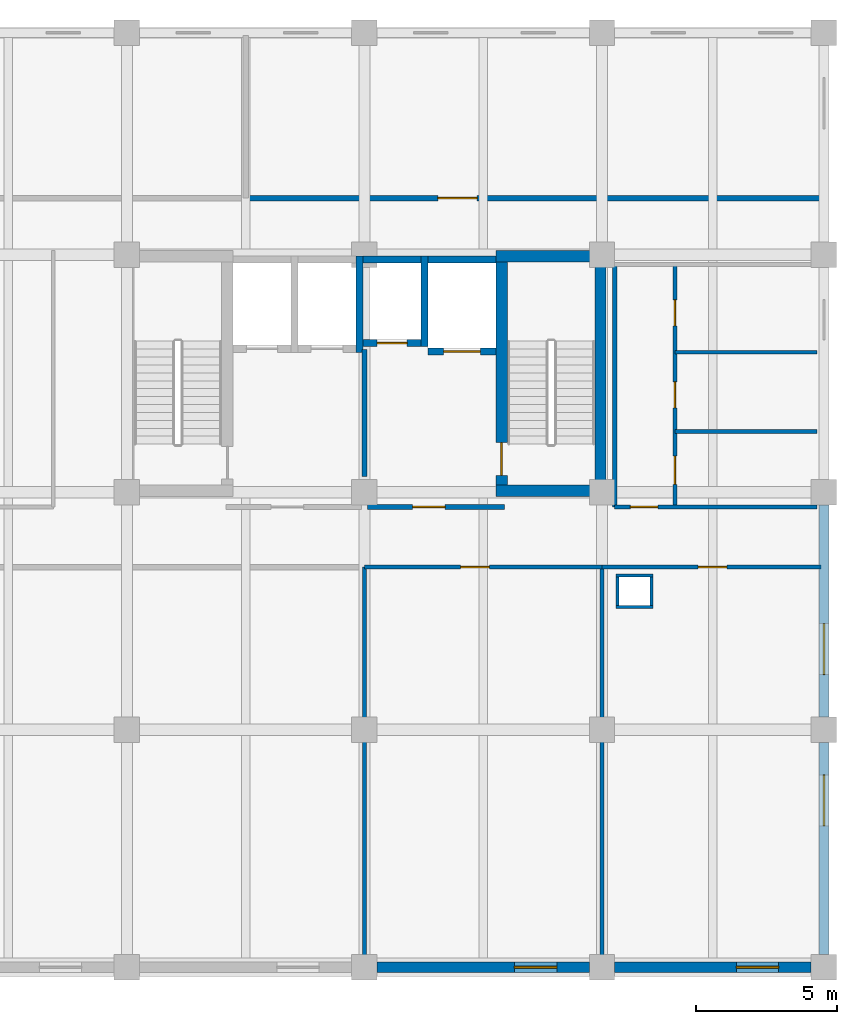
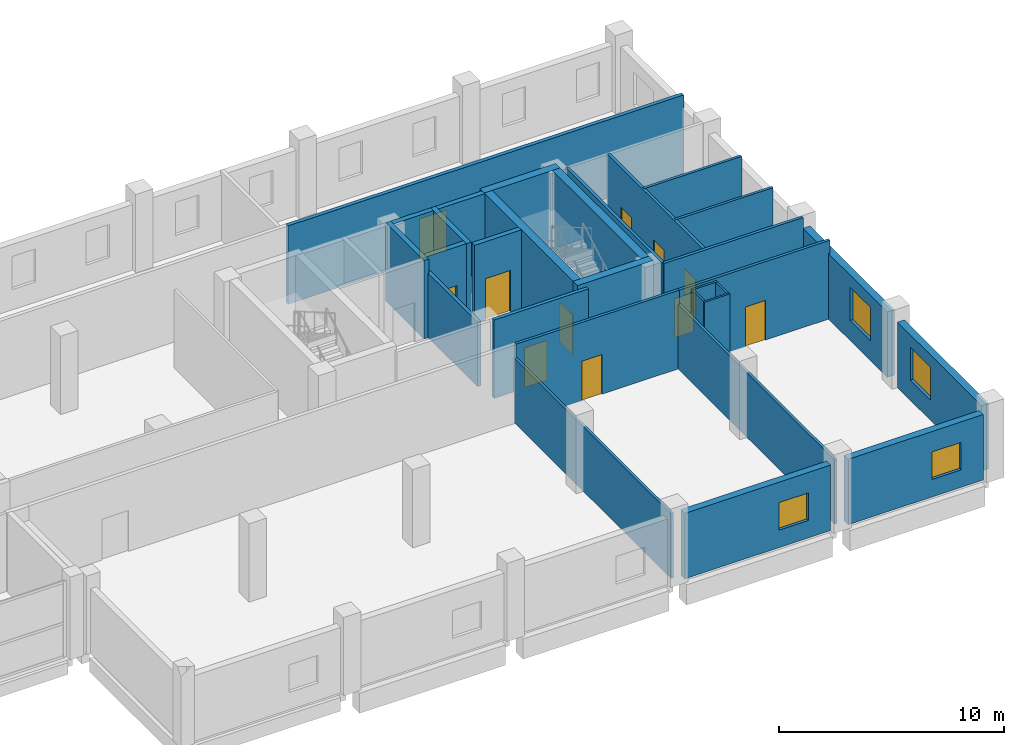
# One storey, part 15 of 18: 30 walls, 11 doors, 4 windows, 15 openings.
"""IFC4 building model written with IfcOpenShell, lengths in metres."""

from ifc_helpers import new_model, si_unit, direction, frame, frame_2d, origin, place, context, subcontext, project, spatial, rectangle, extrude, material, layer, layer_set, type_object, element, fill, save


model = new_model("IFC4")

# Units and contexts
model_context = context("Model", 3, precision=1e-05, world=origin(), true_north=direction((0.0, 1.0)))
body_context = subcontext(model_context, "Body", "Model", "MODEL_VIEW")
ifc_project = project(units=[si_unit("LENGTHUNIT", "METRE"), si_unit("AREAUNIT", "SQUARE_METRE"), si_unit("VOLUMEUNIT", "CUBIC_METRE"), si_unit("PLANEANGLEUNIT", "RADIAN"), si_unit("MASSUNIT", "GRAM", prefix="KILO")], contexts=[model_context])

# Site, building, storey
site_placement = place(None, origin())
site = spatial("IfcSite", under=ifc_project, at=site_placement, CompositionType="ELEMENT")
building_placement = place(site_placement, origin())
building = spatial("IfcBuilding", under=site, at=building_placement, Name="Brinegate Botanical Conservatory", CompositionType="ELEMENT")
storey_placement = place(building_placement, frame((0.0, 0.0, 14.699951171875)))
storey = spatial("IfcBuildingStorey", under=building, at=storey_placement, Name="L04", CompositionType="ELEMENT", Elevation=14.699951171875)

# Wall, opening, window
ifc_material_1 = material(Name="Insulated Minnan red clay brick masonry", Category="masonry")
ifc_layer_1 = layer(ifc_material_1, 0.360107421875, Name="Insulated Minnan red clay brick masonry", Category="masonry")
ifc_layer_set_1 = layer_set([ifc_layer_1], Name="Insulated Minnan red clay brick masonry")
wall_type_1 = type_object("IfcWallType", Name="Wall_EW-360B", PredefinedType="STANDARD", material=ifc_layer_set_1)
wall_1_placement = place(storey_placement, frame((155.14990234375, 78.39990234375, 0.0), z_axis=(0.0, 0.0, 1.0), x_axis=(-1.0, 0.0, 0.0)))
wall_1 = element("IfcWall", 1, at=wall_1_placement, inside=storey, type_object=wall_type_1, Name="Tower south facade wall L04.4", PredefinedType="STANDARD", context=body_context, shape_type="SweptSolid", body=[
    extrude(rectangle(XDim=7.5, YDim=0.360107421875, at=frame_2d((3.75, 0.0))), origin(), (0.0, 0.0, 1.0), 3.56005859375),
])
opening_1_placement = place(wall_1_placement, frame((1.14990234375, 0.0, 0.949951171875)))
opening_1 = element("IfcOpeningElement", 2, at=opening_1_placement, cuts=wall_1, Name="Opening WN-08", PredefinedType="OPENING", context=body_context, shape_type="SweptSolid", body=[
    extrude(rectangle(XDim=1.5, YDim=1.5, at=frame_2d((0.75, 0.75))), frame((0.0, 0.18994140625, 0.0), z_axis=(0.0, -1.0, 0.0), x_axis=(1.0, 0.0, 0.0)), (0.0, 0.0, 1.0), 0.380126953125),
])
ifc_material_2 = material(Name="Thermally broken aluminium-framed Low-E glass", Category="aluminium")
window_type_1 = type_object("IfcWindowType", Name="Win_WN-08", PartitioningType="DOUBLE_PANEL_VERTICAL", PredefinedType="WINDOW", material=ifc_material_2)
window_1_placement = place(opening_1_placement, origin())
window_1 = element("IfcWindow", 3, at=window_1_placement, inside=storey, type_object=window_type_1, Name="Tower south window L04.4", OverallHeight=1.5, OverallWidth=1.5, PartitioningType="DOUBLE_PANEL_VERTICAL", PredefinedType="WINDOW", context=body_context, shape_type="SweptSolid", body=[
    extrude(rectangle(XDim=1.5, YDim=1.5, at=frame_2d((0.75, 0.75))), frame((0.0, 0.030029296875, 0.0), z_axis=(0.0, -1.0, 0.0), x_axis=(1.0, 0.0, 0.0)), (0.0, 0.0, 1.0), 0.06005859375),
])
fill(opening_1, window_1)

wall_2_placement = place(storey_placement, frame((163.0, 78.39990234375, 0.0), z_axis=(0.0, 0.0, 1.0), x_axis=(-1.0, 0.0, 0.0)))
wall_2 = element("IfcWall", 4, at=wall_2_placement, inside=storey, type_object=wall_type_1, Name="Tower south facade wall L04.5", PredefinedType="STANDARD", context=body_context, shape_type="SweptSolid", body=[
    extrude(rectangle(XDim=6.949951171875, YDim=0.360107421875, at=frame_2d((3.47509765625, 0.0))), origin(), (0.0, 0.0, 1.0), 3.56005859375),
])
opening_2_placement = place(wall_2_placement, frame((1.14990234375, 0.0, 0.949951171875)))
opening_2 = element("IfcOpeningElement", 5, at=opening_2_placement, cuts=wall_2, Name="Opening WN-08", PredefinedType="OPENING", context=body_context, shape_type="SweptSolid", body=[
    extrude(rectangle(XDim=1.5, YDim=1.5, at=frame_2d((0.75, 0.75))), frame((0.0, 0.18994140625, 0.0), z_axis=(0.0, -1.0, 0.0), x_axis=(1.0, 0.0, 0.0)), (0.0, 0.0, 1.0), 0.380126953125),
])
window_2_placement = place(opening_2_placement, origin())
window_2 = element("IfcWindow", 6, at=window_2_placement, inside=storey, type_object=window_type_1, Name="Tower south window L04.5", OverallHeight=1.5, OverallWidth=1.5, PartitioningType="DOUBLE_PANEL_VERTICAL", PredefinedType="WINDOW", context=body_context, shape_type="SweptSolid", body=[
    extrude(rectangle(XDim=1.5, YDim=1.5, at=frame_2d((0.75, 0.75))), frame((0.0, 0.030029296875, 0.0), z_axis=(0.0, -1.0, 0.0), x_axis=(1.0, 0.0, 0.0)), (0.0, 0.0, 1.0), 0.06005859375),
])
fill(opening_2, window_2)

wall_3_placement = place(storey_placement, frame((163.449951171875, 86.35009765625, 0.0), z_axis=(0.0, 0.0, 1.0), x_axis=(0.0, -1.0, 0.0)))
wall_3 = element("IfcWall", 7, at=wall_3_placement, inside=storey, type_object=wall_type_1, Name="Tower east brick wall L04.1", PredefinedType="STANDARD", context=body_context, shape_type="SweptSolid", body=[
    extrude(rectangle(XDim=7.5, YDim=0.360107421875, at=frame_2d((3.75, 0.0))), origin(), (0.0, 0.0, 1.0), 3.56005859375),
])
opening_3_placement = place(wall_3_placement, frame((1.14990234375, 0.0, 1.10009765625)))
opening_3 = element("IfcOpeningElement", 8, at=opening_3_placement, cuts=wall_3, Name="Opening WN-05", PredefinedType="OPENING", context=body_context, shape_type="SweptSolid", body=[
    extrude(rectangle(XDim=1.800048828125, YDim=1.800048828125, at=frame_2d((0.89990234375, 0.89990234375))), frame((0.0, 0.18994140625, 0.0), z_axis=(0.0, -1.0, 0.0), x_axis=(1.0, 0.0, 0.0)), (0.0, 0.0, 1.0), 0.380126953125),
])
window_type_2 = type_object("IfcWindowType", Name="Win_WN-05", PartitioningType="DOUBLE_PANEL_VERTICAL", PredefinedType="WINDOW", material=ifc_material_2)
window_3_placement = place(opening_3_placement, origin())
window_3 = element("IfcWindow", 9, at=window_3_placement, inside=storey, type_object=window_type_2, Name="Tower east window L04.1", OverallHeight=1.800048828125, OverallWidth=1.800048828125, PartitioningType="DOUBLE_PANEL_VERTICAL", PredefinedType="WINDOW", context=body_context, shape_type="SweptSolid", body=[
    extrude(rectangle(XDim=1.800048828125, YDim=1.800048828125, at=frame_2d((0.89990234375, 0.89990234375))), frame((0.0, 0.030029296875, 0.0), z_axis=(0.0, -1.0, 0.0), x_axis=(1.0, 0.0, 0.0)), (0.0, 0.0, 1.0), 0.06005859375),
])
fill(opening_3, window_3)

wall_4_placement = place(storey_placement, frame((163.449951171875, 94.75, 0.0), z_axis=(0.0, 0.0, 1.0), x_axis=(0.0, -1.0, 0.0)))
wall_4 = element("IfcWall", 10, at=wall_4_placement, inside=storey, type_object=wall_type_1, Name="Tower east brick wall L04.2", PredefinedType="STANDARD", context=body_context, shape_type="SweptSolid", body=[
    extrude(rectangle(XDim=7.5, YDim=0.360107421875, at=frame_2d((3.75, 0.0))), origin(), (0.0, 0.0, 1.0), 3.56005859375),
])
opening_4_placement = place(wall_4_placement, frame((4.199951171875, 0.0, 1.10009765625)))
opening_4 = element("IfcOpeningElement", 11, at=opening_4_placement, cuts=wall_4, Name="Opening WN-05", PredefinedType="OPENING", context=body_context, shape_type="SweptSolid", body=[
    extrude(rectangle(XDim=1.800048828125, YDim=1.800048828125, at=frame_2d((0.89990234375, 0.89990234375))), frame((0.0, 0.18994140625, 0.0), z_axis=(0.0, -1.0, 0.0), x_axis=(1.0, 0.0, 0.0)), (0.0, 0.0, 1.0), 0.380126953125),
])
window_4_placement = place(opening_4_placement, origin())
window_4 = element("IfcWindow", 12, at=window_4_placement, inside=storey, type_object=window_type_2, Name="Tower east window L04.2", OverallHeight=1.800048828125, OverallWidth=1.800048828125, PartitioningType="DOUBLE_PANEL_VERTICAL", PredefinedType="WINDOW", context=body_context, shape_type="SweptSolid", body=[
    extrude(rectangle(XDim=1.800048828125, YDim=1.800048828125, at=frame_2d((0.89990234375, 0.89990234375))), frame((0.0, 0.030029296875, 0.0), z_axis=(0.0, -1.0, 0.0), x_axis=(1.0, 0.0, 0.0)), (0.0, 0.0, 1.0), 0.06005859375),
])
fill(opening_4, window_4)

# Walls
ifc_material_3 = material(Name="Gypsum-clad steel-stud fire-rated shaft partition", Category="steel")
ifc_layer_2 = layer(ifc_material_3, 0.10498046875, Name="Gypsum-clad steel-stud fire-rated shaft partition", Category="steel")
ifc_layer_set_2 = layer_set([ifc_layer_2], Name="Gypsum-clad steel-stud fire-rated shaft partition")
wall_type_2 = type_object("IfcWallType", Name="Wall_PW-105", PredefinedType="PARTITIONING", material=ifc_layer_set_2)
for number, where, z_axis, x_axis, name in (
    (13, (156.094970703125, 91.1474609375, 0.0), (0.0, 0.0, 1.0), (1.0, 0.0, 0.0), "Service riser shaft wall L04 S"),
    (14, (156.094970703125, 92.25244140625, 0.0), (0.0, 0.0, 1.0), (1.0, 0.0, 0.0), "Service riser shaft wall L04 N"),
):
    element("IfcWall", number, at=place(storey_placement, frame(where, z_axis=z_axis, x_axis=x_axis)), inside=storey, type_object=wall_type_2, Name=name, PredefinedType="PARTITIONING", context=body_context, shape_type="SweptSolid", body=[
        extrude(rectangle(XDim=1.31005859375, YDim=0.10498046875, at=frame_2d((0.655029296875, 0.0))), origin(), (0.0, 0.0, 1.0), 4.260009765625),
    ])
for number, where, z_axis, x_axis, name in (
    (15, (156.1474609375, 91.199951171875, 0.0), (0.0, 0.0, 1.0), (0.0, 1.0, 0.0), "Service riser shaft wall L04 W"),
    (16, (157.3525390625, 91.199951171875, 0.0), (0.0, 0.0, 1.0), (0.0, 1.0, 0.0), "Service riser shaft wall L04 E"),
):
    element("IfcWall", number, at=place(storey_placement, frame(where, z_axis=z_axis, x_axis=x_axis)), inside=storey, type_object=wall_type_2, Name=name, PredefinedType="PARTITIONING", context=body_context, shape_type="SweptSolid", body=[
        extrude(rectangle(XDim=1.0, YDim=0.10498046875, at=frame_2d((0.5, 0.0))), origin(), (0.0, 0.0, 1.0), 4.260009765625),
    ])
ifc_material_4 = material(Name="Gypsum-clad steel-stud partition", Category="steel")
ifc_layer_3 = layer(ifc_material_4, 0.135009765625, Name="Gypsum-clad steel-stud partition", Category="steel")
ifc_layer_set_3 = layer_set([ifc_layer_3], Name="Gypsum-clad steel-stud partition")
wall_type_3 = type_object("IfcWallType", Name="Wall_PW-135", PredefinedType="PARTITIONING", material=ifc_layer_set_3)
for number, where, z_axis, x_axis, name in (
    (17, (158.179931640625, 97.35009765625, 0.0), (0.0, 0.0, 1.0), (1.0, 0.0, 0.0), "Interior partition P-L04-WCD-9735"),
    (18, (158.179931640625, 100.14990234375, 0.0), (0.0, 0.0, 1.0), (1.0, 0.0, 0.0), "Interior partition P-L04-WCD-10015"),
):
    element("IfcWall", number, at=place(storey_placement, frame(where, z_axis=z_axis, x_axis=x_axis)), inside=storey, type_object=wall_type_3, Name=name, PredefinedType="PARTITIONING", context=body_context, shape_type="SweptSolid", body=[
        extrude(rectangle(XDim=5.02001953125, YDim=0.135009765625, at=frame_2d((2.510009765625, 0.0))), origin(), (0.0, 0.0, 1.0), 4.260009765625),
    ])
for number, where, z_axis, x_axis, name in (
    (19, (147.199951171875, 78.550048828125, 0.0), (0.0, 0.0, 1.0), (0.0, 1.0, 0.0), "Interior partition P-L04-SDIV-S2"),
    (20, (155.60009765625, 78.550048828125, 0.0), (0.0, 0.0, 1.0), (0.0, 1.0, 0.0), "Interior partition P-L04-SDIV-S3"),
):
    element("IfcWall", number, at=place(storey_placement, frame(where, z_axis=z_axis, x_axis=x_axis)), inside=storey, type_object=wall_type_3, Name=name, PredefinedType="PARTITIONING", context=body_context, shape_type="SweptSolid", body=[
        extrude(rectangle(XDim=14.0, YDim=0.135009765625, at=frame_2d((7.0, 0.0))), origin(), (0.0, 0.0, 1.0), 3.510009765625),
    ])

# Wall, opening, door
ifc_material_5 = material(Name="Gypsum-clad acoustic steel-stud partition", Category="steel")
ifc_layer_4 = layer(ifc_material_5, 0.14501953125, Name="Gypsum-clad acoustic steel-stud partition", Category="steel")
ifc_layer_set_4 = layer_set([ifc_layer_4], Name="Gypsum-clad acoustic steel-stud partition")
wall_type_4 = type_object("IfcWallType", Name="Wall_PW-150", PredefinedType="PARTITIONING", material=ifc_layer_set_4)
wall_5_placement = place(storey_placement, frame((147.199951171875, 92.550048828125, 0.0), z_axis=(0.0, 0.0, 1.0), x_axis=(1.0, 0.0, 0.0)))
wall_5 = element("IfcWall", 21, at=wall_5_placement, inside=storey, type_object=wall_type_4, Name="Interior partition P-L04-SB-S2", PredefinedType="PARTITIONING", context=body_context, shape_type="SweptSolid", body=[
    extrude(rectangle(XDim=8.400146484375, YDim=0.14501953125, at=frame_2d((4.2001953125, 0.0))), origin(), (0.0, 0.0, 1.0), 4.260009765625),
])
opening_5_placement = place(wall_5_placement, frame((3.39990234375, 0.0, 0.0)))
opening_5 = element("IfcOpeningElement", 22, at=opening_5_placement, cuts=wall_5, Name="Opening DR-02", PredefinedType="OPENING", context=body_context, shape_type="SweptSolid", body=[
    extrude(rectangle(XDim=1.02001953125, YDim=2.14990234375, at=frame_2d((0.510009765625, 1.074951171875))), frame((0.0, 0.08251953125, 0.0), z_axis=(0.0, -1.0, 0.0), x_axis=(1.0, 0.0, 0.0)), (0.0, 0.0, 1.0), 0.1650390625),
])
ifc_material_6 = material(Name="Phenolic-faced laboratory timber leaf", Category="wood")
door_type_1 = type_object("IfcDoorType", Name="Door_DR-02", OperationType="NOTDEFINED", PredefinedType="DOOR", material=ifc_material_6)
door_1_placement = place(opening_5_placement, origin())
door_1 = element("IfcDoor", 23, at=door_1_placement, inside=storey, type_object=door_type_1, Name="DR-P-L04-SB-S2-1", OperationType="SINGLE_SWING_LEFT", OverallHeight=2.14990234375, OverallWidth=1.02001953125, PredefinedType="DOOR", context=body_context, shape_type="SweptSolid", body=[
    extrude(rectangle(XDim=1.02001953125, YDim=2.14990234375, at=frame_2d((0.510009765625, 1.074951171875))), frame((0.0, 0.02490234375, 0.0), z_axis=(0.0, -1.0, 0.0), x_axis=(1.0, 0.0, 0.0)), (0.0, 0.0, 1.0), 0.050048828125),
])
fill(opening_5, door_1)

wall_6_placement = place(storey_placement, frame((155.60009765625, 92.550048828125, 0.0), z_axis=(0.0, 0.0, 1.0), x_axis=(1.0, 0.0, 0.0)))
wall_6 = element("IfcWall", 24, at=wall_6_placement, inside=storey, type_object=wall_type_4, Name="Interior partition P-L04-SB-S3", PredefinedType="PARTITIONING", context=body_context, shape_type="SweptSolid", body=[
    extrude(rectangle(XDim=7.75, YDim=0.14501953125, at=frame_2d((3.875, 0.0))), origin(), (0.0, 0.0, 1.0), 4.260009765625),
])
opening_6_placement = place(wall_6_placement, frame((3.39990234375, 0.0, 0.0)))
opening_6 = element("IfcOpeningElement", 25, at=opening_6_placement, cuts=wall_6, Name="Opening DR-02", PredefinedType="OPENING", context=body_context, shape_type="SweptSolid", body=[
    extrude(rectangle(XDim=1.02001953125, YDim=2.14990234375, at=frame_2d((0.510009765625, 1.074951171875))), frame((0.0, 0.08251953125, 0.0), z_axis=(0.0, -1.0, 0.0), x_axis=(1.0, 0.0, 0.0)), (0.0, 0.0, 1.0), 0.1650390625),
])
door_2_placement = place(opening_6_placement, origin())
door_2 = element("IfcDoor", 26, at=door_2_placement, inside=storey, type_object=door_type_1, Name="DR-P-L04-SB-S3-1", OperationType="SINGLE_SWING_RIGHT", OverallHeight=2.14990234375, OverallWidth=1.02001953125, PredefinedType="DOOR", context=body_context, shape_type="SweptSolid", body=[
    extrude(rectangle(XDim=1.02001953125, YDim=2.14990234375, at=frame_2d((0.510009765625, 1.074951171875))), frame((0.0, 0.02490234375, 0.0), z_axis=(0.0, -1.0, 0.0), x_axis=(1.0, 0.0, 0.0)), (0.0, 0.0, 1.0), 0.050048828125),
])
fill(opening_6, door_2)

ifc_material_7 = material(Name="Moisture-resistant cement-board partition", Category="gypsum")
ifc_layer_5 = layer(ifc_material_7, 0.14990234375, Name="Moisture-resistant cement-board partition", Category="gypsum")
ifc_layer_set_5 = layer_set([ifc_layer_5], Name="Moisture-resistant cement-board partition")
wall_type_5 = type_object("IfcWallType", Name="Wall_PW-150W", PredefinedType="PARTITIONING", material=ifc_layer_set_5)
wall_7_placement = place(storey_placement, frame((156.050048828125, 94.679931640625, 0.0), z_axis=(0.0, 0.0, 1.0), x_axis=(1.0, 0.0, 0.0)))
wall_7 = element("IfcWall", 27, at=wall_7_placement, inside=storey, type_object=wall_type_5, Name="Interior partition P-L04-WCS", PredefinedType="PARTITIONING", context=body_context, shape_type="SweptSolid", body=[
    extrude(rectangle(XDim=7.14990234375, YDim=0.14990234375, at=frame_2d((3.574951171875, 0.0))), origin(), (0.0, 0.0, 1.0), 4.260009765625),
])
opening_7_placement = place(wall_7_placement, frame((0.550048828125, 0.0, 0.0)))
opening_7 = element("IfcOpeningElement", 28, at=opening_7_placement, cuts=wall_7, Name="Opening DR-03", PredefinedType="OPENING", context=body_context, shape_type="SweptSolid", body=[
    extrude(rectangle(XDim=0.97998046875, YDim=2.1201171875, at=frame_2d((0.489990234375, 1.06005859375))), frame((0.0, 0.0849609375, 0.0), z_axis=(0.0, -1.0, 0.0), x_axis=(1.0, 0.0, 0.0)), (0.0, 0.0, 1.0), 0.169921875),
])
ifc_material_8 = material(Name="Steel-core hardwood smoke-sealed fire door", Category="steel")
door_type_2 = type_object("IfcDoorType", Name="Door_DR-03", OperationType="NOTDEFINED", PredefinedType="DOOR", material=ifc_material_8)
door_3_placement = place(opening_7_placement, origin())
door_3 = element("IfcDoor", 29, at=door_3_placement, inside=storey, type_object=door_type_2, Name="DR-P-L04-WCS-1", OperationType="SINGLE_SWING_LEFT", OverallHeight=2.1201171875, OverallWidth=0.97998046875, PredefinedType="DOOR", context=body_context, shape_type="SweptSolid", body=[
    extrude(rectangle(XDim=0.97998046875, YDim=2.1201171875, at=frame_2d((0.489990234375, 1.06005859375))), frame((0.0, 0.02490234375, 0.0), z_axis=(0.0, -1.0, 0.0), x_axis=(1.0, 0.0, 0.0)), (0.0, 0.0, 1.0), 0.050048828125),
])
fill(opening_7, door_3)

# Wall, openings, doors
wall_8_placement = place(storey_placement, frame((158.179931640625, 94.679931640625, 0.0), z_axis=(0.0, 0.0, 1.0), x_axis=(0.0, 1.0, 0.0)))
wall_8 = element("IfcWall", 30, at=wall_8_placement, inside=storey, type_object=wall_type_5, Name="Interior partition P-L04-WCW", PredefinedType="PARTITIONING", context=body_context, shape_type="SweptSolid", body=[
    extrude(rectangle(XDim=8.570068359375, YDim=0.14990234375, at=frame_2d((4.28515625, 0.0))), origin(), (0.0, 0.0, 1.0), 4.260009765625),
])
opening_8_placement = place(wall_8_placement, frame((0.800048828125, 0.0, 0.0)))
opening_8 = element("IfcOpeningElement", 31, at=opening_8_placement, cuts=wall_8, Name="Opening DR-ACC", PredefinedType="OPENING", context=body_context, shape_type="SweptSolid", body=[
    extrude(rectangle(XDim=1.0, YDim=2.1201171875, at=frame_2d((0.5, 1.06005859375))), frame((0.0, 0.0849609375, 0.0), z_axis=(0.0, -1.0, 0.0), x_axis=(1.0, 0.0, 0.0)), (0.0, 0.0, 1.0), 0.169921875),
])
opening_9_placement = place(wall_8_placement, frame((3.5, 0.0, 0.0)))
opening_9 = element("IfcOpeningElement", 32, at=opening_9_placement, cuts=wall_8, Name="Opening DR-04", PredefinedType="OPENING", context=body_context, shape_type="SweptSolid", body=[
    extrude(rectangle(XDim=0.919921875, YDim=2.10009765625, at=frame_2d((0.4599609375, 1.050048828125))), frame((0.0, 0.0849609375, 0.0), z_axis=(0.0, -1.0, 0.0), x_axis=(1.0, 0.0, 0.0)), (0.0, 0.0, 1.0), 0.169921875),
])
opening_10_placement = place(wall_8_placement, frame((6.39990234375, 0.0, 0.0)))
opening_10 = element("IfcOpeningElement", 33, at=opening_10_placement, cuts=wall_8, Name="Opening DR-04", PredefinedType="OPENING", context=body_context, shape_type="SweptSolid", body=[
    extrude(rectangle(XDim=0.919921875, YDim=2.10009765625, at=frame_2d((0.4599609375, 1.050048828125))), frame((0.0, 0.0849609375, 0.0), z_axis=(0.0, -1.0, 0.0), x_axis=(1.0, 0.0, 0.0)), (0.0, 0.0, 1.0), 0.169921875),
])
ifc_material_9 = material(Name="Moisture-resistant laminate timber leaf", Category="wood")
door_type_3 = type_object("IfcDoorType", Name="Door_DR-04", OperationType="NOTDEFINED", PredefinedType="DOOR", material=ifc_material_9)
door_4_placement = place(opening_9_placement, origin())
door_4 = element("IfcDoor", 34, at=door_4_placement, inside=storey, type_object=door_type_3, Name="DR-P-L04-WCW-2", OperationType="SINGLE_SWING_RIGHT", OverallHeight=2.10009765625, OverallWidth=0.919921875, PredefinedType="DOOR", context=body_context, shape_type="SweptSolid", body=[
    extrude(rectangle(XDim=0.919921875, YDim=2.10009765625, at=frame_2d((0.4599609375, 1.050048828125))), frame((0.0, 0.02490234375, 0.0), z_axis=(0.0, -1.0, 0.0), x_axis=(1.0, 0.0, 0.0)), (0.0, 0.0, 1.0), 0.050048828125),
])
fill(opening_9, door_4)
door_5_placement = place(opening_10_placement, origin())
door_5 = element("IfcDoor", 35, at=door_5_placement, inside=storey, type_object=door_type_3, Name="DR-P-L04-WCW-3", OperationType="SINGLE_SWING_LEFT", OverallHeight=2.10009765625, OverallWidth=0.919921875, PredefinedType="DOOR", context=body_context, shape_type="SweptSolid", body=[
    extrude(rectangle(XDim=0.919921875, YDim=2.10009765625, at=frame_2d((0.4599609375, 1.050048828125))), frame((0.0, 0.02490234375, 0.0), z_axis=(0.0, -1.0, 0.0), x_axis=(1.0, 0.0, 0.0)), (0.0, 0.0, 1.0), 0.050048828125),
])
fill(opening_10, door_5)
ifc_material_10 = material(Name="Moisture-resistant barrier-free timber leaf", Category="wood")
door_type_4 = type_object("IfcDoorType", Name="Door_DR-ACC", OperationType="NOTDEFINED", PredefinedType="DOOR", material=ifc_material_10)
door_6_placement = place(opening_8_placement, origin())
door_6 = element("IfcDoor", 36, at=door_6_placement, inside=storey, type_object=door_type_4, Name="DR-P-L04-WCW-1", OperationType="SINGLE_SWING_LEFT", OverallHeight=2.1201171875, OverallWidth=1.0, PredefinedType="DOOR", context=body_context, shape_type="SweptSolid", body=[
    extrude(rectangle(XDim=1.0, YDim=2.1201171875, at=frame_2d((0.5, 1.06005859375))), frame((0.0, 0.02490234375, 0.0), z_axis=(0.0, -1.0, 0.0), x_axis=(1.0, 0.0, 0.0)), (0.0, 0.0, 1.0), 0.050048828125),
])
fill(opening_8, door_6)

# Wall
wall_9_placement = place(storey_placement, frame((156.050048828125, 94.679931640625, 0.0), z_axis=(0.0, 0.0, 1.0), x_axis=(0.0, 1.0, 0.0)))
element("IfcWall", 37, at=wall_9_placement, inside=storey, type_object=wall_type_5, Name="Interior partition P-L04-WCWW", PredefinedType="PARTITIONING", context=body_context, shape_type="SweptSolid", body=[
    extrude(rectangle(XDim=8.570068359375, YDim=0.14990234375, at=frame_2d((4.28515625, 0.0))), origin(), (0.0, 0.0, 1.0), 4.260009765625),
])

# Wall, opening, door
ifc_material_11 = material(Name="Autoclaved aerated concrete C40/50 blockwork", Category="masonry")
ifc_layer_6 = layer(ifc_material_11, 0.179931640625, Name="Autoclaved aerated concrete C40/50 blockwork", Category="masonry")
ifc_layer_set_6 = layer_set([ifc_layer_6], Name="Autoclaved aerated concrete C40/50 blockwork")
wall_type_6 = type_object("IfcWallType", Name="Wall_PW-180F", PredefinedType="STANDARD", material=ifc_layer_set_6)
wall_10_placement = place(storey_placement, frame((147.300048828125, 94.679931640625, 0.0), z_axis=(0.0, 0.0, 1.0), x_axis=(1.0, 0.0, 0.0)))
wall_10 = element("IfcWall", 38, at=wall_10_placement, inside=storey, type_object=wall_type_6, Name="Interior partition P-L04-CORE-PAX", PredefinedType="STANDARD", context=body_context, shape_type="SweptSolid", body=[
    extrude(rectangle(XDim=4.849853515625, YDim=0.179931640625, at=frame_2d((2.4248046875, 0.0))), origin(), (0.0, 0.0, 1.0), 4.260009765625),
])
opening_11_placement = place(wall_10_placement, frame((1.60009765625, 0.0, 0.0)))
opening_11 = element("IfcOpeningElement", 39, at=opening_11_placement, cuts=wall_10, Name="Opening FD-B1", PredefinedType="OPENING", context=body_context, shape_type="SweptSolid", body=[
    extrude(rectangle(XDim=1.14990234375, YDim=2.14990234375, at=frame_2d((0.574951171875, 1.074951171875))), frame((0.0, 0.099853515625, 0.0), z_axis=(0.0, -1.0, 0.0), x_axis=(1.0, 0.0, 0.0)), (0.0, 0.0, 1.0), 0.199951171875),
])
ifc_material_12 = material(Name="Steel smoke-proof fire door assembly", Category="steel")
door_type_5 = type_object("IfcDoorType", Name="Door_FD-B1", OperationType="NOTDEFINED", PredefinedType="DOOR", material=ifc_material_12)
door_7_placement = place(opening_11_placement, origin())
door_7 = element("IfcDoor", 40, at=door_7_placement, inside=storey, type_object=door_type_5, Name="DR-P-L04-CORE-PAX-1", OperationType="SINGLE_SWING_RIGHT", OverallHeight=2.14990234375, OverallWidth=1.14990234375, PredefinedType="DOOR", context=body_context, shape_type="SweptSolid", body=[
    extrude(rectangle(XDim=1.14990234375, YDim=2.14990234375, at=frame_2d((0.574951171875, 1.074951171875))), frame((0.0, 0.02490234375, 0.0), z_axis=(0.0, -1.0, 0.0), x_axis=(1.0, 0.0, 0.0)), (0.0, 0.0, 1.0), 0.050048828125),
])
fill(opening_11, door_7)

# Wall
wall_11_placement = place(storey_placement, frame((147.199951171875, 95.75, 0.0), z_axis=(0.0, 0.0, 1.0), x_axis=(0.0, 1.0, 0.0)))
element("IfcWall", 41, at=wall_11_placement, inside=storey, type_object=wall_type_6, Name="Interior partition P-L04-CORE-DIV", PredefinedType="STANDARD", context=body_context, shape_type="SweptSolid", body=[
    extrude(rectangle(XDim=4.5, YDim=0.179931640625, at=frame_2d((2.25, 0.0))), origin(), (0.0, 0.0, 1.0), 3.510009765625),
])

# Wall, opening, door
ifc_layer_7 = layer(ifc_material_11, 0.18994140625, Name="Autoclaved aerated concrete C40/50 blockwork", Category="masonry")
ifc_layer_set_7 = layer_set([ifc_layer_7], Name="Autoclaved aerated concrete C40/50 blockwork")
wall_type_7 = type_object("IfcWallType", Name="Wall_PW-190F", PredefinedType="SOLIDWALL", material=ifc_layer_set_7)
wall_12_placement = place(storey_placement, frame((143.0, 105.60009765625, 0.0), z_axis=(0.0, 0.0, 1.0), x_axis=(1.0, 0.0, 0.0)))
wall_12 = element("IfcWall", 42, at=wall_12_placement, inside=storey, type_object=wall_type_7, Name="Interior partition P-L04-NB-N2", PredefinedType="SOLIDWALL", context=body_context, shape_type="SweptSolid", body=[
    extrude(rectangle(XDim=20.35009765625, YDim=0.18994140625, at=frame_2d((10.175048828125, 0.0))), origin(), (0.0, 0.0, 1.0), 4.260009765625),
])
opening_12_placement = place(wall_12_placement, frame((6.800048828125, 0.0, 0.0)))
opening_12 = element("IfcOpeningElement", 43, at=opening_12_placement, cuts=wall_12, Name="Opening FD-A3", PredefinedType="OPENING", context=body_context, shape_type="SweptSolid", body=[
    extrude(rectangle(XDim=1.3798828125, YDim=2.219970703125, at=frame_2d((0.68994140625, 1.10986328125))), frame((0.0, 0.10498046875, 0.0), z_axis=(0.0, -1.0, 0.0), x_axis=(1.0, 0.0, 0.0)), (0.0, 0.0, 1.0), 0.2099609375),
])
ifc_material_13 = material(Name="Steel fire-rated vault door", Category="steel")
door_type_6 = type_object("IfcDoorType", Name="Door_FD-A3", OperationType="NOTDEFINED", PredefinedType="DOOR", material=ifc_material_13)
door_8_placement = place(opening_12_placement, origin())
door_8 = element("IfcDoor", 44, at=door_8_placement, inside=storey, type_object=door_type_6, Name="DR-P-L04-NB-N2-1", OperationType="SINGLE_SWING_RIGHT", OverallHeight=2.219970703125, OverallWidth=1.3798828125, PredefinedType="DOOR", context=body_context, shape_type="SweptSolid", body=[
    extrude(rectangle(XDim=1.3798828125, YDim=2.219970703125, at=frame_2d((0.68994140625, 1.10986328125))), frame((0.0, 0.02490234375, 0.0), z_axis=(0.0, -1.0, 0.0), x_axis=(1.0, 0.0, 0.0)), (0.0, 0.0, 1.0), 0.050048828125),
])
fill(opening_12, door_8)

# Wall
ifc_material_14 = material(Name="Concrete C40/50", Category="concrete")
ifc_layer_8 = layer(ifc_material_14, 0.25, Name="Concrete C40/50", Category="concrete")
ifc_layer_set_8 = layer_set([ifc_layer_8], Name="Concrete C40/50")
wall_type_8 = type_object("IfcWallType", Name="Wall_SW-250", PredefinedType="SHEAR", material=ifc_layer_set_8)
wall_13_placement = place(storey_placement, frame((147.02490234375, 100.14990234375, 0.0), z_axis=(0.0, 0.0, 1.0), x_axis=(0.0, 1.0, 0.0)))
element("IfcWall", 45, at=wall_13_placement, inside=storey, type_object=wall_type_8, Name="Lift shaft LF2 shear wall L04 E", PredefinedType="SHEAR", context=body_context, shape_type="SweptSolid", body=[
    extrude(rectangle(XDim=3.400146484375, YDim=0.25, at=frame_2d((1.7001953125, 0.0))), origin(), (0.0, 0.0, 1.0), 4.260009765625),
])

# Wall, opening, door
wall_14_placement = place(storey_placement, frame((147.14990234375, 100.47509765625, 0.0), z_axis=(0.0, 0.0, 1.0), x_axis=(1.0, 0.0, 0.0)))
wall_14 = element("IfcWall", 46, at=wall_14_placement, inside=storey, type_object=wall_type_8, Name="Lift shaft LF3 shear wall L04 S", PredefinedType="SHEAR", context=body_context, shape_type="SweptSolid", body=[
    extrude(rectangle(XDim=2.050048828125, YDim=0.25, at=frame_2d((1.02490234375, 0.0))), origin(), (0.0, 0.0, 1.0), 4.260009765625),
])
opening_13_placement = place(wall_14_placement, frame((0.4951171875, 0.0, 0.0)))
opening_13 = element("IfcOpeningElement", 47, at=opening_13_placement, cuts=wall_14, Name="Opening LD-03", PredefinedType="OPENING", context=body_context, shape_type="SweptSolid", body=[
    extrude(rectangle(XDim=1.06005859375, YDim=2.14990234375, at=frame_2d((0.530029296875, 1.074951171875))), frame((0.0, 0.135009765625, 0.0), z_axis=(0.0, -1.0, 0.0), x_axis=(1.0, 0.0, 0.0)), (0.0, 0.0, 1.0), 0.27001953125),
])
ifc_material_15 = material(Name="Brushed stainless steel S355 landing door", Category="steel")
door_type_7 = type_object("IfcDoorType", Name="Door_LD-03", OperationType="SLIDING_TO_LEFT", PredefinedType="DOOR", material=ifc_material_15)
door_9_placement = place(opening_13_placement, origin())
door_9 = element("IfcDoor", 48, at=door_9_placement, inside=storey, type_object=door_type_7, Name="LD-LF3-L04", OperationType="SLIDING_TO_LEFT", OverallHeight=2.14990234375, OverallWidth=1.06005859375, PredefinedType="DOOR", context=body_context, shape_type="SweptSolid", body=[
    extrude(rectangle(XDim=1.06005859375, YDim=2.14990234375, at=frame_2d((0.530029296875, 1.074951171875))), frame((0.0, 0.02490234375, 0.0), z_axis=(0.0, -1.0, 0.0), x_axis=(1.0, 0.0, 0.0)), (0.0, 0.0, 1.0), 0.050048828125),
])
fill(opening_13, door_9)

# Walls
wall_15_placement = place(storey_placement, frame((147.14990234375, 103.425048828125, 0.0), z_axis=(0.0, 0.0, 1.0), x_axis=(1.0, 0.0, 0.0)))
element("IfcWall", 49, at=wall_15_placement, inside=storey, type_object=wall_type_8, Name="Lift shaft LF3 shear wall L04 N", PredefinedType="SHEAR", context=body_context, shape_type="SweptSolid", body=[
    extrude(rectangle(XDim=2.050048828125, YDim=0.25, at=frame_2d((1.02490234375, 0.0))), origin(), (0.0, 0.0, 1.0), 4.260009765625),
])
wall_16_placement = place(storey_placement, frame((149.324951171875, 100.35009765625, 0.0), z_axis=(0.0, 0.0, 1.0), x_axis=(0.0, 1.0, 0.0)))
element("IfcWall", 50, at=wall_16_placement, inside=storey, type_object=wall_type_8, Name="Lift shaft LF3 shear wall L04 E", PredefinedType="SHEAR", context=body_context, shape_type="SweptSolid", body=[
    extrude(rectangle(XDim=3.199951171875, YDim=0.25, at=frame_2d((1.60009765625, 0.0))), origin(), (0.0, 0.0, 1.0), 4.260009765625),
])

# Wall, opening, door
wall_17_placement = place(storey_placement, frame((149.449951171875, 100.175048828125, 0.0), z_axis=(0.0, 0.0, 1.0), x_axis=(1.0, 0.0, 0.0)))
wall_17 = element("IfcWall", 51, at=wall_17_placement, inside=storey, type_object=wall_type_8, Name="Lift shaft LF4 shear wall L04 S", PredefinedType="SHEAR", context=body_context, shape_type="SweptSolid", body=[
    extrude(rectangle(XDim=2.400146484375, YDim=0.25, at=frame_2d((1.2001953125, 0.0))), origin(), (0.0, 0.0, 1.0), 4.260009765625),
])
opening_14_placement = place(wall_17_placement, frame((0.550048828125, 0.0, 0.0)))
opening_14 = element("IfcOpeningElement", 52, at=opening_14_placement, cuts=wall_17, Name="Opening LD-04", PredefinedType="OPENING", context=body_context, shape_type="SweptSolid", body=[
    extrude(rectangle(XDim=1.300048828125, YDim=2.25, at=frame_2d((0.64990234375, 1.125))), frame((0.0, 0.135009765625, 0.0), z_axis=(0.0, -1.0, 0.0), x_axis=(1.0, 0.0, 0.0)), (0.0, 0.0, 1.0), 0.27001953125),
])
door_type_8 = type_object("IfcDoorType", Name="Door_LD-04", OperationType="SLIDING_TO_LEFT", PredefinedType="DOOR", material=ifc_material_15)
door_10_placement = place(opening_14_placement, origin())
door_10 = element("IfcDoor", 53, at=door_10_placement, inside=storey, type_object=door_type_8, Name="LD-LF4-L04", OperationType="SLIDING_TO_LEFT", OverallHeight=2.25, OverallWidth=1.300048828125, PredefinedType="DOOR", context=body_context, shape_type="SweptSolid", body=[
    extrude(rectangle(XDim=1.300048828125, YDim=2.25, at=frame_2d((0.64990234375, 1.125))), frame((0.0, 0.02490234375, 0.0), z_axis=(0.0, -1.0, 0.0), x_axis=(1.0, 0.0, 0.0)), (0.0, 0.0, 1.0), 0.050048828125),
])
fill(opening_14, door_10)

# Walls
wall_18_placement = place(storey_placement, frame((149.449951171875, 103.425048828125, 0.0), z_axis=(0.0, 0.0, 1.0), x_axis=(1.0, 0.0, 0.0)))
element("IfcWall", 54, at=wall_18_placement, inside=storey, type_object=wall_type_8, Name="Lift shaft LF4 shear wall L04 N", PredefinedType="SHEAR", context=body_context, shape_type="SweptSolid", body=[
    extrude(rectangle(XDim=2.400146484375, YDim=0.25, at=frame_2d((1.2001953125, 0.0))), origin(), (0.0, 0.0, 1.0), 4.260009765625),
])
ifc_material_16 = material(Name="Concrete C50/60", Category="concrete")
ifc_layer_9 = layer(ifc_material_16, 0.39990234375, Name="Concrete C50/60", Category="concrete")
ifc_layer_set_9 = layer_set([ifc_layer_9], Name="Concrete C50/60")
wall_type_9 = type_object("IfcWallType", Name="Wall_SW-400", PredefinedType="SHEAR", material=ifc_layer_set_9)
for number, where, z_axis, x_axis, name in (
    (55, (151.85009765625, 95.25, 0.0), (0.0, 0.0, 1.0), (1.0, 0.0, 0.0), "Stairwell ST2 shear wall L04 S"),
    (56, (151.85009765625, 103.550048828125, 0.0), (0.0, 0.0, 1.0), (1.0, 0.0, 0.0), "Stairwell ST2 shear wall L04 N"),
):
    element("IfcWall", number, at=place(storey_placement, frame(where, z_axis=z_axis, x_axis=x_axis)), inside=storey, type_object=wall_type_9, Name=name, PredefinedType="SHEAR", context=body_context, shape_type="SweptSolid", body=[
        extrude(rectangle(XDim=3.89990234375, YDim=0.39990234375, at=frame_2d((1.949951171875, 0.0))), origin(), (0.0, 0.0, 1.0), 4.260009765625),
    ])

# Wall, opening, door
wall_19_placement = place(storey_placement, frame((152.050048828125, 95.449951171875, 0.0), z_axis=(0.0, 0.0, 1.0), x_axis=(0.0, 1.0, 0.0)))
wall_19 = element("IfcWall", 57, at=wall_19_placement, inside=storey, type_object=wall_type_9, Name="Stairwell ST2 shear wall L04 W", PredefinedType="SHEAR", context=body_context, shape_type="SweptSolid", body=[
    extrude(rectangle(XDim=7.900146484375, YDim=0.39990234375, at=frame_2d((3.9501953125, 0.0))), origin(), (0.0, 0.0, 1.0), 4.260009765625),
])
opening_15_placement = place(wall_19_placement, frame((0.35009765625, 0.0, 0.0)))
opening_15 = element("IfcOpeningElement", 58, at=opening_15_placement, cuts=wall_19, Name="Opening FD-B1", PredefinedType="OPENING", context=body_context, shape_type="SweptSolid", body=[
    extrude(rectangle(XDim=1.14990234375, YDim=2.14990234375, at=frame_2d((0.574951171875, 1.074951171875))), frame((0.0, 0.2099609375, 0.0), z_axis=(0.0, -1.0, 0.0), x_axis=(1.0, 0.0, 0.0)), (0.0, 0.0, 1.0), 0.419921875),
])
door_11_placement = place(opening_15_placement, origin())
door_11 = element("IfcDoor", 59, at=door_11_placement, inside=storey, type_object=door_type_5, Name="DR-ST-ST2-L04", OperationType="SINGLE_SWING_RIGHT", OverallHeight=2.14990234375, OverallWidth=1.14990234375, PredefinedType="DOOR", context=body_context, shape_type="SweptSolid", body=[
    extrude(rectangle(XDim=1.14990234375, YDim=2.14990234375, at=frame_2d((0.574951171875, 1.074951171875))), frame((0.0, 0.02490234375, 0.0), z_axis=(0.0, -1.0, 0.0), x_axis=(1.0, 0.0, 0.0)), (0.0, 0.0, 1.0), 0.050048828125),
])
fill(opening_15, door_11)

# Wall
wall_20_placement = place(storey_placement, frame((155.550048828125, 95.449951171875, 0.0), z_axis=(0.0, 0.0, 1.0), x_axis=(0.0, 1.0, 0.0)))
element("IfcWall", 60, at=wall_20_placement, inside=storey, type_object=wall_type_9, Name="Stairwell ST2 shear wall L04 E", PredefinedType="SHEAR", context=body_context, shape_type="SweptSolid", body=[
    extrude(rectangle(XDim=7.900146484375, YDim=0.39990234375, at=frame_2d((3.9501953125, 0.0))), origin(), (0.0, 0.0, 1.0), 4.260009765625),
])

save(model, "model.ifc")
